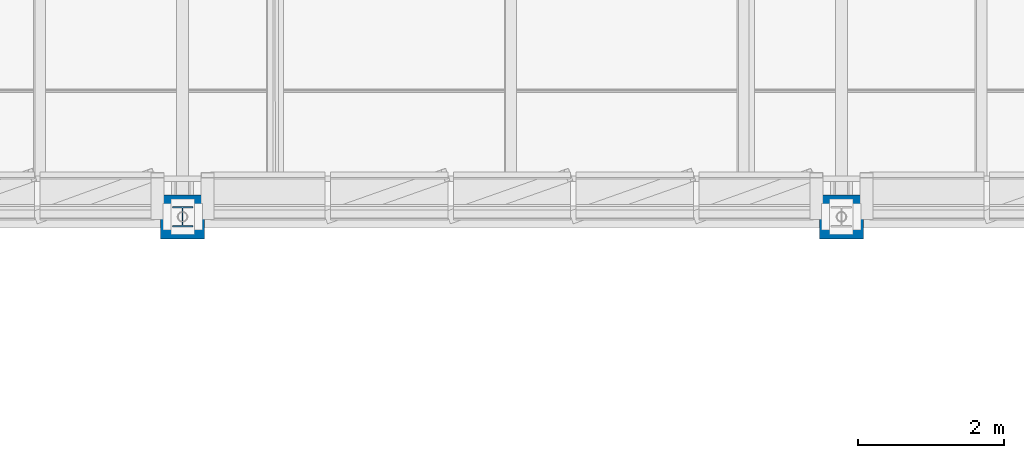
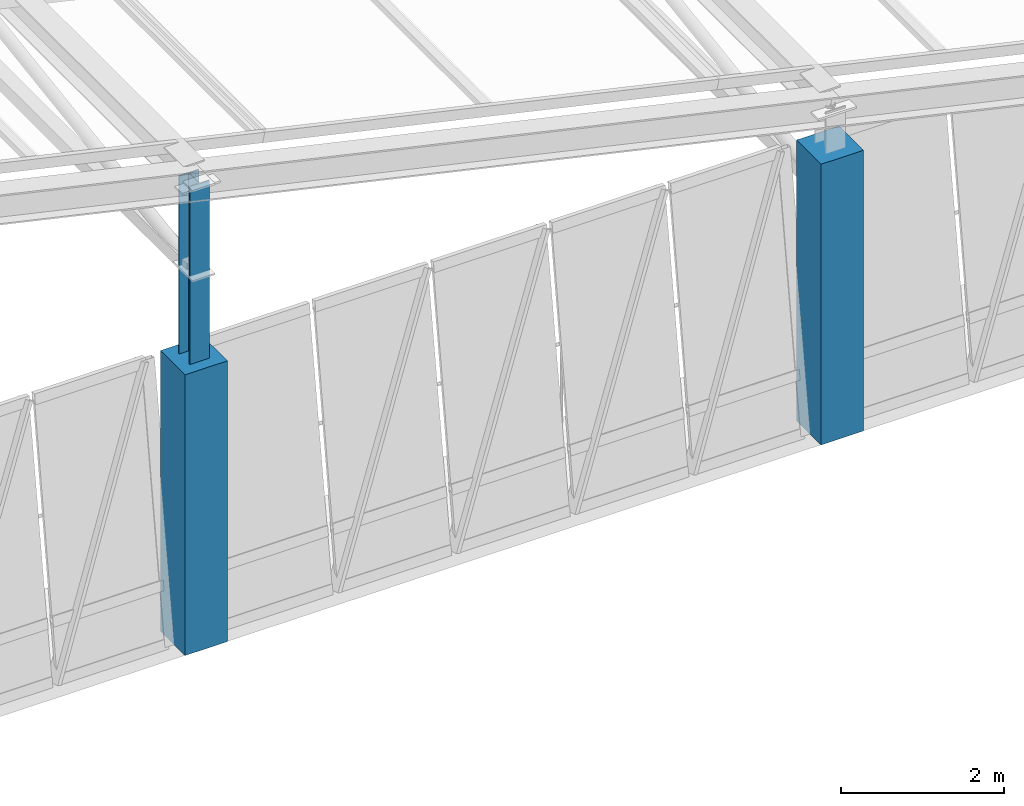
# One storey, part 4 of 130: 3 columns.
"""IFC4 building model written with IfcOpenShell, lengths in metres."""

import ifcopenshell
import ifcopenshell.guid

model = None  # the IFC model being written
_history = None  # IfcOwnerHistory: only IFC2X3 demands one
_inside = {}  # id of a spatial element -> (the spatial element, [elements in it])
_under = {}  # id of a project, library or spatial element -> (it, [spatial elements below it])
_declared = {}  # id of a project -> (the project, [libraries it declares])
_typed = {}  # id of a type object -> (the type object, [elements of that type])
_made_of = {}  # id of a material, layer set ... -> (it, [elements and type objects made of it])


def new_model(schema):
    """Start an empty IFC model of exactly this schema.

    Asked for "IFC4X3", IfcOpenShell would pick the latest addendum, in which some entities
    have other attributes; the version numbers below select the first issue.
    IFC2X3 requires an IfcOwnerHistory on every rooted entity: one is made here for all.
    """
    global model, _history
    if schema == "IFC4X3":
        model = ifcopenshell.file(schema_version=(4, 3, 0, 0))
    else:
        model = ifcopenshell.file(schema=schema)
    _inside.clear()
    _under.clear()
    _declared.clear()
    _typed.clear()
    _made_of.clear()
    _history = None
    if model.schema == "IFC2X3":
        org = make("IfcOrganization", Name="unknown")
        user = make(
            "IfcPersonAndOrganization",
            ThePerson=make("IfcPerson", FamilyName="unknown"),
            TheOrganization=org,
        )
        app = make(
            "IfcApplication",
            ApplicationDeveloper=org,
            Version="unknown",
            ApplicationFullName="unknown",
            ApplicationIdentifier="unknown",
        )
        _history = make(
            "IfcOwnerHistory",
            OwningUser=user,
            OwningApplication=app,
            ChangeAction="ADDED",
            CreationDate=0,
        )
    return model


def make(cls, **values):
    """One entity of the class cls with the attributes given. An attribute that is None is left unset."""
    return model.create_entity(
        cls, **{name: value for name, value in values.items() if value is not None}
    )


def rooted(cls, **values):
    """An entity with a GlobalId (a new one), such as an element, a storey or a relation."""
    return make(cls, GlobalId=ifcopenshell.guid.new(), OwnerHistory=_history, **values)


def si_unit(unit_type, name, prefix=None):
    """IfcSIUnit, for example si_unit("LENGTHUNIT", "METRE", prefix="MILLI")."""
    return make("IfcSIUnit", UnitType=unit_type, Prefix=prefix, Name=name)


def assignment(units):
    """IfcUnitAssignment: the units of a project."""
    return None if units is None else make("IfcUnitAssignment", Units=units)


def point(xyz):
    """IfcCartesianPoint."""
    return None if xyz is None else make("IfcCartesianPoint", Coordinates=xyz)


def direction(xyz):
    """IfcDirection."""
    return None if xyz is None else make("IfcDirection", DirectionRatios=xyz)


def frame(location, z_axis=None, x_axis=None):
    """IfcAxis2Placement3D, a coordinate frame: its origin and axes. An axis left out is left unset."""
    return make(
        "IfcAxis2Placement3D",
        Location=point(location),
        Axis=direction(z_axis),
        RefDirection=direction(x_axis),
    )


def frame_2d(location, x_axis=None):
    """IfcAxis2Placement2D, a coordinate frame in the plane: its origin and x axis."""
    return make(
        "IfcAxis2Placement2D", Location=point(location), RefDirection=direction(x_axis)
    )


def origin():
    """The frame at (0, 0, 0) with its axes left unset."""
    return frame((0.0, 0.0, 0.0))


def origin_2d():
    """The frame at (0, 0) in the plane with its x axis left unset."""
    return frame_2d((0.0, 0.0))


def place(relative_to, where):
    """IfcLocalPlacement: puts the frame where relative to a parent placement (None: the world)."""
    return make(
        "IfcLocalPlacement", PlacementRelTo=relative_to, RelativePlacement=where
    )


def context(
    kind, dimensions, precision=None, world=None, true_north=None, identifier=None
):
    """IfcGeometricRepresentationContext, for example the 3D "Model" context."""
    return make(
        "IfcGeometricRepresentationContext",
        ContextIdentifier=identifier,
        ContextType=kind,
        CoordinateSpaceDimension=dimensions,
        Precision=precision,
        WorldCoordinateSystem=world,
        TrueNorth=true_north,
    )


def subcontext(parent, identifier, kind, view, scale=None):
    """IfcGeometricRepresentationSubContext, for example "Body" below "Model"."""
    return make(
        "IfcGeometricRepresentationSubContext",
        ContextIdentifier=identifier,
        ContextType=kind,
        ParentContext=parent,
        TargetScale=scale,
        TargetView=view,
    )


def project(units=None, contexts=None):
    """IfcProject with its units and contexts."""
    return rooted(
        "IfcProject",
        Name="project",
        RepresentationContexts=contexts,
        UnitsInContext=assignment(units),
    )


def spatial(cls, under=None, at=None, **own):
    """A site, building, storey or space (cls), placed at a placement, below another one or the project."""
    s = rooted(cls, ObjectPlacement=at, **own)
    if under is not None:
        _under.setdefault(under.id(), (under, []))[1].append(s)
    return s


def profile(cls, at=None, kind="AREA", **sizes):
    """A parametric profile (cls). Its sizes go by their IFC names, for example OverallWidth=200.0."""
    return make(cls, ProfileType=kind, Position=at, **sizes)


def rectangle(**sizes):
    """IfcRectangleProfileDef."""
    return profile("IfcRectangleProfileDef", **sizes)


def i_section(**sizes):
    """IfcIShapeProfileDef."""
    return profile("IfcIShapeProfileDef", **sizes)


def extrude(swept, where, along, depth):
    """IfcExtrudedAreaSolid: the profile swept, set in the frame where, extruded along a direction by depth."""
    return make(
        "IfcExtrudedAreaSolid",
        SweptArea=swept,
        Position=where,
        ExtrudedDirection=direction(along),
        Depth=depth,
    )


def shape(context_of_items, identifier, shape_type, items):
    """IfcShapeRepresentation: the items that make up one representation, for example the "Body"."""
    return make(
        "IfcShapeRepresentation",
        ContextOfItems=context_of_items,
        RepresentationIdentifier=identifier,
        RepresentationType=shape_type,
        Items=items,
    )


def material(Name=None, Category=None):
    """IfcMaterial."""
    return make("IfcMaterial", Name=Name, Category=Category)


def material_profile(
    of_material, cross_section, Name=None, Category=None, Priority=None
):
    """IfcMaterialProfile: a cross section and its material."""
    return make(
        "IfcMaterialProfile",
        Name=Name,
        Material=of_material,
        Profile=cross_section,
        Priority=Priority,
        Category=Category,
    )


def profile_set(profiles, Name=None, composite=None):
    """IfcMaterialProfileSet."""
    return make(
        "IfcMaterialProfileSet",
        Name=Name,
        MaterialProfiles=profiles,
        CompositeProfile=composite,
    )


def made_of(thing, what):
    """Note that an element or type object is made of a material, layer set ...; save() writes the relation."""
    if what is not None:
        _made_of.setdefault(what.id(), (what, []))[1].append(thing)
    return thing


def type_object(cls, material=None, **own):
    """A type object (cls), such as IfcWallType, which elements share."""
    return made_of(rooted(cls, **own), material)


def element(
    cls,
    number,
    at=None,
    inside=None,
    cuts=None,
    type_object=None,
    material=None,
    context=None,
    identifier="Body",
    shape_type=None,
    held_by="IfcProductDefinitionShape",
    body=None,
    shapes=None,
    **own,
):
    """One element of the class cls, such as IfcWall. Its Tag is "e" and its number.

    at: its placement. inside: the storey or other place that contains it. cuts: it is an
    opening in that element (IfcRelVoidsElement). A single representation is given by context,
    identifier, shape_type and body (its items); several are given by shapes. held_by: the class
    of the entity that holds the representations. save() writes the other relations.
    """
    e = rooted(cls, Tag="e%d" % number, ObjectPlacement=at, **own)
    if body is not None:
        shapes = [shape(context, identifier, shape_type, body)]
    if shapes is not None:
        e.Representation = make(held_by, Representations=shapes)
    if inside is not None:
        _inside.setdefault(inside.id(), (inside, []))[1].append(e)
    if cuts is not None:
        rooted(
            "IfcRelVoidsElement", RelatingBuildingElement=cuts, RelatedOpeningElement=e
        )
    if type_object is not None:
        _typed.setdefault(type_object.id(), (type_object, []))[1].append(e)
    return made_of(e, material)


def aggregate(whole, parts):
    """IfcRelAggregates: a whole, such as a stair, and the parts it consists of."""
    return rooted("IfcRelAggregates", RelatingObject=whole, RelatedObjects=parts)


def save(model, path):
    """Write the relations noted so far, then the file.

    IfcRelAggregates (storeys below a building ...), IfcRelContainedInSpatialStructure (elements
    in a storey), IfcRelDefinesByType, IfcRelAssociatesMaterial and IfcRelDeclares: one each for
    every whole, place, type object, material and project.
    """
    for whole, parts in _under.values():
        aggregate(whole, parts)
    for where, things in _inside.values():
        rooted(
            "IfcRelContainedInSpatialStructure",
            RelatedElements=things,
            RelatingStructure=where,
        )
    for kind, things in _typed.values():
        rooted("IfcRelDefinesByType", RelatedObjects=things, RelatingType=kind)
    for what, things in _made_of.values():
        rooted("IfcRelAssociatesMaterial", RelatedObjects=things, RelatingMaterial=what)
    for by, libraries in _declared.values():
        rooted("IfcRelDeclares", RelatingContext=by, RelatedDefinitions=libraries)
    model.write(path)


model = new_model("IFC4")

# Units and contexts
model_context = context("Model", 3, precision=1e-05, world=origin(), true_north=direction((0.0, 1.0)))
body_context = subcontext(model_context, "Body", "Model", "MODEL_VIEW")
ifc_project = project(units=[si_unit("LENGTHUNIT", "METRE"), si_unit("AREAUNIT", "SQUARE_METRE"), si_unit("VOLUMEUNIT", "CUBIC_METRE"), si_unit("PLANEANGLEUNIT", "RADIAN"), si_unit("MASSUNIT", "GRAM", prefix="KILO")], contexts=[model_context])

# Site, building, storey
site_placement = place(None, origin())
site = spatial("IfcSite", under=ifc_project, at=site_placement, CompositionType="ELEMENT")
building_placement = place(site_placement, origin())
building = spatial("IfcBuilding", under=site, at=building_placement, Name="Lykobir Media Centre", CompositionType="ELEMENT")
storey_placement = place(building_placement, frame((0.0, 0.0, 19.199951171875)))
storey = spatial("IfcBuildingStorey", under=building, at=storey_placement, Name="L04", CompositionType="ELEMENT", Elevation=19.199951171875)

# Columns
ifc_material_1 = material(Name="Concrete C40/50", Category="concrete")
ifc_material_profile_1 = material_profile(ifc_material_1, rectangle(XDim=0.60009765625, YDim=0.60009765625, at=origin_2d()), Name="RC 600x600")
ifc_profile_set_1 = profile_set([ifc_material_profile_1], Name="Concrete C40/50")
column_type_1 = type_object("IfcColumnType", Name="RC-C600", PredefinedType="COLUMN", material=ifc_profile_set_1)
for number, where, z_axis, x_axis, name in (
    (1, (54.0, 63.0, 0.0), (0.0, 0.0, 1.0), (1.0, 0.0, 0.0), "Column COL-L04-0540-0630"),
    (2, (63.0, 63.0, 0.0), (0.0, 0.0, 1.0), (1.0, 0.0, 0.0), "Column COL-L04-0630-0630"),
):
    element("IfcColumn", number, at=place(storey_placement, frame(where, z_axis=z_axis, x_axis=x_axis)), inside=storey, type_object=column_type_1, Name=name, PredefinedType="COLUMN", context=body_context, shape_type="SweptSolid", body=[
        extrude(rectangle(XDim=0.60009765625, YDim=0.60009765625, at=origin_2d()), origin(), (0.0, 0.0, 1.0), 4.199951171875),
    ])
ifc_material_2 = material(Name="Steel S355", Category="steel")
ifc_material_profile_2 = material_profile(ifc_material_2, i_section(OverallWidth=0.280029296875, OverallDepth=0.280029296875, WebThickness=0.010498046875, FlangeThickness=0.01806640625, at=origin_2d()), Name="HEB 280")
ifc_profile_set_2 = profile_set([ifc_material_profile_2], Name="Steel S355")
column_type_2 = type_object("IfcColumnType", Name="SC-HEB280", PredefinedType="COLUMN", material=ifc_profile_set_2)
column_placement = place(storey_placement, frame((54.0, 63.0, 4.199951171875), z_axis=(0.0, 0.0, 1.0), x_axis=(1.0, 0.0, 0.0)))
element("IfcColumn", 3, at=column_placement, inside=storey, type_object=column_type_2, Name="V6 roof portal post 54-63", PredefinedType="COLUMN", context=body_context, shape_type="SweptSolid", body=[
    extrude(i_section(OverallWidth=0.280029296875, OverallDepth=0.280029296875, WebThickness=0.010498046875, FlangeThickness=0.01806640625, at=origin_2d()), origin(), (0.0, 0.0, 1.0), 2.66015625),
])

save(model, "model.ifc")
